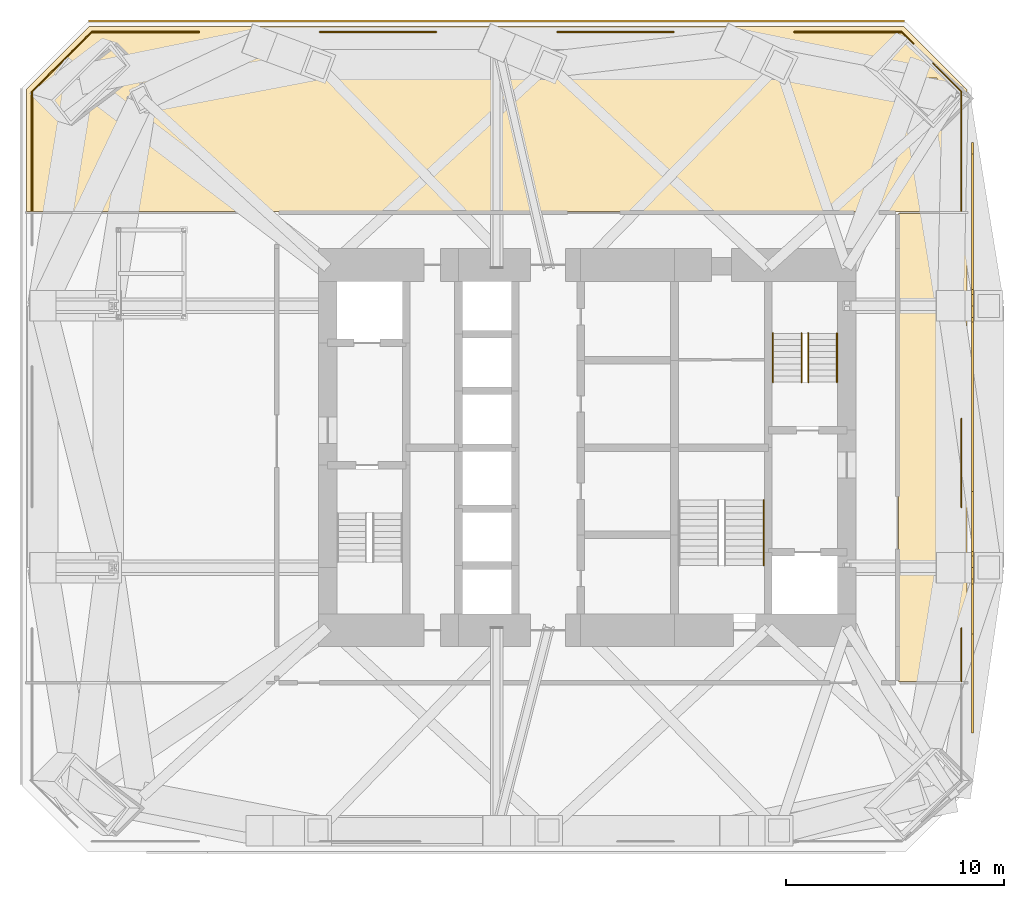
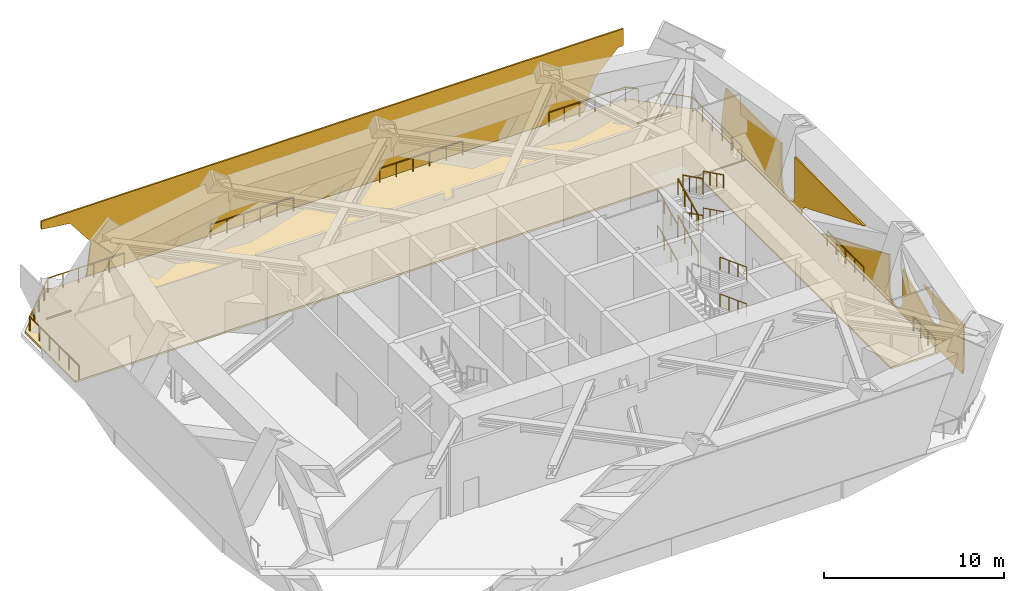
# One storey, part 11 of 11: 23 railings, 3 shading devices, 2 coverings.
"""IFC4 building model written with IfcOpenShell, lengths in metres."""

from ifc_helpers import new_model, si_unit, direction, frame, origin, origin_2d, place, context, subcontext, project, spatial, polyline, rectangle, circle, outline, extrude, material, layer, layer_set, constituent, constituent_set, type_object, element, save


model = new_model("IFC4")

# Units and contexts
model_context = context("Model", 3, precision=1e-05, world=origin(), true_north=direction((0.0, 1.0)))
body_context = subcontext(model_context, "Body", "Model", "MODEL_VIEW")
ifc_project = project(units=[si_unit("LENGTHUNIT", "METRE"), si_unit("AREAUNIT", "SQUARE_METRE"), si_unit("VOLUMEUNIT", "CUBIC_METRE"), si_unit("PLANEANGLEUNIT", "RADIAN"), si_unit("MASSUNIT", "GRAM", prefix="KILO")], contexts=[model_context])

# Site, building, storey
site_placement = place(None, origin())
site = spatial("IfcSite", under=ifc_project, at=site_placement, CompositionType="ELEMENT")
building_placement = place(site_placement, origin())
building = spatial("IfcBuilding", under=site, at=building_placement, Name="Jalousie Tower", CompositionType="ELEMENT")
storey_placement = place(building_placement, frame((0.0, 0.0, 144.35009765625)))
storey = spatial("IfcBuildingStorey", under=building, at=storey_placement, Name="L39", CompositionType="ELEMENT", Elevation=144.35009765625)

# Coverings
ifc_material_1 = material(Name="Sand-cement screed on resilient layer", Category="concrete")
ifc_layer_1 = layer(ifc_material_1, 0.1201171875)
ifc_layer_set_1 = layer_set([ifc_layer_1], Name="Sand-cement screed on resilient layer")
covering_type = type_object("IfcCoveringType", Name="FLOATING PLANT SCREED 120", PredefinedType="FLOORING", material=ifc_layer_set_1)
covering_1_placement = place(storey_placement, origin())
element("IfcCovering", 1, at=covering_1_placement, inside=storey, type_object=covering_type, Name="Floating screed Mechanical plant room", PredefinedType="FLOORING", context=body_context, shape_type="SweptSolid", body=[
    extrude(outline(polyline([(6.199951171875, 34.917236328125), (9.082763671875, 37.800048828125), (46.417236328125, 37.800048828125), (49.300048828125, 34.917236328125), (49.300048828125, 29.324951171875), (6.199951171875, 29.324951171875), (6.199951171875, 34.917236328125)]), holes=[polyline([(45.818603515625, 35.30615234375), (47.918701171875, 35.30615234375), (47.918701171875, 35.43115234375), (45.818603515625, 35.43115234375), (45.818603515625, 35.30615234375)]), polyline([(7.831298828125, 35.30615234375), (9.431396484375, 35.30615234375), (9.431396484375, 35.43115234375), (7.831298828125, 35.43115234375), (7.831298828125, 35.30615234375)])]), origin(), (0.0, 0.0, 1.0), 0.119873046875),
])
covering_2_placement = place(storey_placement, origin())
element("IfcCovering", 2, at=covering_2_placement, inside=storey, type_object=covering_type, Name="Floating screed Water tank room", PredefinedType="FLOORING", context=body_context, shape_type="SweptSolid", body=[
    extrude(outline(polyline([(49.300048828125, 29.22509765625), (49.300048828125, 7.77490234375), (46.175048828125, 7.77490234375), (46.175048828125, 29.22509765625), (49.300048828125, 29.22509765625)])), origin(), (0.0, 0.0, 1.0), 0.119873046875),
])

# Railings
ifc_material_2 = material(Name="Stainless steel AISI 316", Category="steel")
railing_type_1 = type_object("IfcRailingType", Name="PLANT GUARDRAIL 1100", PredefinedType="GUARDRAIL", material=ifc_material_2)
railing_1_placement = place(storey_placement, frame((6.449951171875, 29.344970703125, 0.0)))
element("IfcRailing", 3, at=railing_1_placement, inside=storey, type_object=railing_type_1, Name="Plant floor guard L39 7", PredefinedType="GUARDRAIL", context=body_context, shape_type="SweptSolid", body=[
    extrude(rectangle(XDim=0.048095703125, YDim=0.048095703125, at=origin_2d()), frame((0.0, 0.0, 1.076171875), z_axis=(0.0, 1.0, 0.0), x_axis=(-1.0, 0.0, 0.0)), (0.0, 0.0, 1.0), 5.46875),
    extrude(circle(Radius=0.02099609375, at=origin_2d()), origin(), (0.0, 0.0, 1.0), 1.052001953125),
    extrude(circle(Radius=0.02099609375, at=origin_2d()), frame((0.0, 1.09375, 0.0)), (0.0, 0.0, 1.0), 1.052001953125),
    extrude(circle(Radius=0.02099609375, at=origin_2d()), frame((0.0, 2.1875, 0.0)), (0.0, 0.0, 1.0), 1.052001953125),
    extrude(circle(Radius=0.02099609375, at=origin_2d()), frame((0.0, 3.28125, 0.0)), (0.0, 0.0, 1.0), 1.052001953125),
    extrude(circle(Radius=0.02099609375, at=origin_2d()), frame((0.0, 4.375, 0.0)), (0.0, 0.0, 1.0), 1.052001953125),
    extrude(circle(Radius=0.02099609375, at=origin_2d()), frame((0.0, 5.46875, 0.0)), (0.0, 0.0, 1.0), 1.052001953125),
])
railing_2_placement = place(storey_placement, frame((6.449951171875, 34.813720703125, 0.0)))
element("IfcRailing", 4, at=railing_2_placement, inside=storey, type_object=railing_type_1, Name="Plant floor guard L39 8", PredefinedType="GUARDRAIL", context=body_context, shape_type="SweptSolid", body=[
    extrude(rectangle(XDim=0.048095703125, YDim=0.048095703125, at=origin_2d()), frame((0.0, 0.0, 1.076171875), z_axis=(0.707170042808, 0.707043513905, 0.0), x_axis=(-0.707043513905, 0.707170042808, 0.0)), (0.0, 0.0, 1.0), 1.929443359375),
    extrude(circle(Radius=0.02099609375, at=origin_2d()), origin(), (0.0, 0.0, 1.0), 1.052001953125),
    extrude(circle(Radius=0.02099609375, at=origin_2d()), frame((0.68212890625, 0.68212890625, 0.0)), (0.0, 0.0, 1.0), 1.052001953125),
    extrude(circle(Radius=0.02099609375, at=origin_2d()), frame((1.364501953125, 1.3642578125, 0.0)), (0.0, 0.0, 1.0), 1.052001953125),
])
railing_3_placement = place(storey_placement, frame((7.8544921875, 36.21826171875, 0.0)))
element("IfcRailing", 5, at=railing_3_placement, inside=storey, type_object=railing_type_1, Name="Plant floor guard L39 9", PredefinedType="GUARDRAIL", context=body_context, shape_type="SweptSolid", body=[
    extrude(rectangle(XDim=0.048095703125, YDim=0.048095703125, at=origin_2d()), frame((0.0, 0.0, 1.076171875), z_axis=(0.707106781187, 0.707106781187, 0.0), x_axis=(-0.707106781187, 0.707106781187, 0.0)), (0.0, 0.0, 1.0), 1.0703125),
    extrude(circle(Radius=0.02099609375, at=origin_2d()), origin(), (0.0, 0.0, 1.0), 1.052001953125),
    extrude(circle(Radius=0.02099609375, at=origin_2d()), frame((0.7568359375, 0.7568359375, 0.0)), (0.0, 0.0, 1.0), 1.052001953125),
])
railing_4_placement = place(storey_placement, frame((8.651611328125, 37.01513671875, 0.0)))
element("IfcRailing", 6, at=railing_4_placement, inside=storey, type_object=railing_type_1, Name="Plant floor guard L39 10", PredefinedType="GUARDRAIL", context=body_context, shape_type="SweptSolid", body=[
    extrude(rectangle(XDim=0.048095703125, YDim=0.048095703125, at=origin_2d()), frame((0.0, 0.0, 1.076171875), z_axis=(0.706945359716, 0.707268165816, 0.0), x_axis=(-0.707268165816, 0.706945359716, 0.0)), (0.0, 0.0, 1.0), 0.75634765625),
    extrude(circle(Radius=0.02099609375, at=origin_2d()), origin(), (0.0, 0.0, 1.0), 1.052001953125),
    extrude(circle(Radius=0.02099609375, at=origin_2d()), frame((0.53466796875, 0.534912109375, 0.0)), (0.0, 0.0, 1.0), 1.052001953125),
])
railing_5_placement = place(storey_placement, frame((9.186279296875, 37.550048828125, 0.0)))
element("IfcRailing", 7, at=railing_5_placement, inside=storey, type_object=railing_type_1, Name="Plant floor guard L39 11", PredefinedType="GUARDRAIL", context=body_context, shape_type="SweptSolid", body=[
    extrude(rectangle(XDim=0.048095703125, YDim=0.048095703125, at=origin_2d()), frame((0.0, 0.0, 1.076171875), z_axis=(1.0, 0.0, 0.0), x_axis=(0.0, 1.0, 0.0)), (0.0, 0.0, 1.0), 4.918701171875),
    extrude(circle(Radius=0.02099609375, at=origin_2d()), origin(), (0.0, 0.0, 1.0), 1.052001953125),
    extrude(circle(Radius=0.02099609375, at=origin_2d()), frame((0.983642578125, 0.0, 0.0)), (0.0, 0.0, 1.0), 1.052001953125),
    extrude(circle(Radius=0.02099609375, at=origin_2d()), frame((1.967529296875, 0.0, 0.0)), (0.0, 0.0, 1.0), 1.052001953125),
    extrude(circle(Radius=0.02099609375, at=origin_2d()), frame((2.951171875, 0.0, 0.0)), (0.0, 0.0, 1.0), 1.052001953125),
    extrude(circle(Radius=0.02099609375, at=origin_2d()), frame((3.93505859375, 0.0, 0.0)), (0.0, 0.0, 1.0), 1.052001953125),
    extrude(circle(Radius=0.02099609375, at=origin_2d()), frame((4.918701171875, 0.0, 0.0)), (0.0, 0.0, 1.0), 1.052001953125),
])
for number, where, name in (
    (8, (19.64501953125, 37.550048828125, 0.0), "Plant floor guard L39 12"),
    (9, (30.52001953125, 37.550048828125, 0.0), "Plant floor guard L39 13"),
):
    element("IfcRailing", number, at=place(storey_placement, frame(where)), inside=storey, type_object=railing_type_1, Name=name, PredefinedType="GUARDRAIL", context=body_context, shape_type="SweptSolid", body=[
        extrude(rectangle(XDim=0.048095703125, YDim=0.048095703125, at=origin_2d()), frame((0.0, 0.0, 1.076171875), z_axis=(1.0, 0.0, 0.0), x_axis=(0.0, 1.0, 0.0)), (0.0, 0.0, 1.0), 5.3349609375),
        extrude(circle(Radius=0.02099609375, at=origin_2d()), origin(), (0.0, 0.0, 1.0), 1.052001953125),
        extrude(circle(Radius=0.02099609375, at=origin_2d()), frame((1.06689453125, 0.0, 0.0)), (0.0, 0.0, 1.0), 1.052001953125),
        extrude(circle(Radius=0.02099609375, at=origin_2d()), frame((2.134033203125, 0.0, 0.0)), (0.0, 0.0, 1.0), 1.052001953125),
        extrude(circle(Radius=0.02099609375, at=origin_2d()), frame((3.200927734375, 0.0, 0.0)), (0.0, 0.0, 1.0), 1.052001953125),
        extrude(circle(Radius=0.02099609375, at=origin_2d()), frame((4.26806640625, 0.0, 0.0)), (0.0, 0.0, 1.0), 1.052001953125),
        extrude(circle(Radius=0.02099609375, at=origin_2d()), frame((5.3349609375, 0.0, 0.0)), (0.0, 0.0, 1.0), 1.052001953125),
    ])
railing_6_placement = place(storey_placement, frame((41.39501953125, 37.550048828125, 0.0)))
element("IfcRailing", 10, at=railing_6_placement, inside=storey, type_object=railing_type_1, Name="Plant floor guard L39 14", PredefinedType="GUARDRAIL", context=body_context, shape_type="SweptSolid", body=[
    extrude(rectangle(XDim=0.048095703125, YDim=0.048095703125, at=origin_2d()), frame((0.0, 0.0, 1.076171875), z_axis=(1.0, 0.0, 0.0), x_axis=(0.0, 1.0, 0.0)), (0.0, 0.0, 1.0), 4.918701171875),
    extrude(circle(Radius=0.02099609375, at=origin_2d()), origin(), (0.0, 0.0, 1.0), 1.052001953125),
    extrude(circle(Radius=0.02099609375, at=origin_2d()), frame((0.983642578125, 0.0, 0.0)), (0.0, 0.0, 1.0), 1.052001953125),
    extrude(circle(Radius=0.02099609375, at=origin_2d()), frame((1.967529296875, 0.0, 0.0)), (0.0, 0.0, 1.0), 1.052001953125),
    extrude(circle(Radius=0.02099609375, at=origin_2d()), frame((2.951171875, 0.0, 0.0)), (0.0, 0.0, 1.0), 1.052001953125),
    extrude(circle(Radius=0.02099609375, at=origin_2d()), frame((3.93505859375, 0.0, 0.0)), (0.0, 0.0, 1.0), 1.052001953125),
    extrude(circle(Radius=0.02099609375, at=origin_2d()), frame((4.918701171875, 0.0, 0.0)), (0.0, 0.0, 1.0), 1.052001953125),
])
railing_7_placement = place(storey_placement, frame((46.313720703125, 37.550048828125, 0.0)))
element("IfcRailing", 11, at=railing_7_placement, inside=storey, type_object=railing_type_1, Name="Plant floor guard L39 15", PredefinedType="GUARDRAIL", context=body_context, shape_type="SweptSolid", body=[
    extrude(rectangle(XDim=0.048095703125, YDim=0.048095703125, at=origin_2d()), frame((0.0, 0.0, 1.076171875), z_axis=(0.706945433382, -0.707268092183, 0.0), x_axis=(0.707268092183, 0.706945433382, 0.0)), (0.0, 0.0, 1.0), 0.756591796875),
    extrude(circle(Radius=0.02099609375, at=origin_2d()), origin(), (0.0, 0.0, 1.0), 1.052001953125),
    extrude(circle(Radius=0.02099609375, at=origin_2d()), frame((0.534912109375, -0.53515625, 0.0)), (0.0, 0.0, 1.0), 1.052001953125),
])
railing_8_placement = place(storey_placement, frame((47.752197265625, 36.111328125, 0.0)))
element("IfcRailing", 12, at=railing_8_placement, inside=storey, type_object=railing_type_1, Name="Plant floor guard L39 16", PredefinedType="GUARDRAIL", context=body_context, shape_type="SweptSolid", body=[
    extrude(rectangle(XDim=0.048095703125, YDim=0.048095703125, at=origin_2d()), frame((0.0, 0.0, 1.076171875), z_axis=(0.707173291724, -0.707040264393, 0.0), x_axis=(0.707040264393, 0.707173291724, 0.0)), (0.0, 0.0, 1.0), 1.835205078125),
    extrude(circle(Radius=0.02099609375, at=origin_2d()), origin(), (0.0, 0.0, 1.0), 1.052001953125),
    extrude(circle(Radius=0.02099609375, at=origin_2d()), frame((0.64892578125, -0.64892578125, 0.0)), (0.0, 0.0, 1.0), 1.052001953125),
    extrude(circle(Radius=0.02099609375, at=origin_2d()), frame((1.2978515625, -1.297607421875, 0.0)), (0.0, 0.0, 1.0), 1.052001953125),
])
railing_9_placement = place(storey_placement, frame((49.050048828125, 10.22998046875, 0.0)))
element("IfcRailing", 13, at=railing_9_placement, inside=storey, type_object=railing_type_1, Name="Plant floor guard L39 18", PredefinedType="GUARDRAIL", context=body_context, shape_type="SweptSolid", body=[
    extrude(rectangle(XDim=0.048095703125, YDim=0.048095703125, at=origin_2d()), frame((0.0, 0.0, 1.076171875), z_axis=(0.0, -1.0, 0.0), x_axis=(1.0, 0.0, 0.0)), (0.0, 0.0, 1.0), 2.43505859375),
    extrude(circle(Radius=0.02099609375, at=origin_2d()), origin(), (0.0, 0.0, 1.0), 1.052001953125),
    extrude(circle(Radius=0.02099609375, at=origin_2d()), frame((0.0, -0.811767578125, 0.0)), (0.0, 0.0, 1.0), 1.052001953125),
    extrude(circle(Radius=0.02099609375, at=origin_2d()), frame((0.0, -1.623291015625, 0.0)), (0.0, 0.0, 1.0), 1.052001953125),
    extrude(circle(Radius=0.02099609375, at=origin_2d()), frame((0.0, -2.43505859375, 0.0)), (0.0, 0.0, 1.0), 1.052001953125),
])
railing_10_placement = place(storey_placement, frame((49.050048828125, 19.83203125, 0.0)))
element("IfcRailing", 14, at=railing_10_placement, inside=storey, type_object=railing_type_1, Name="Plant floor guard L39 19", PredefinedType="GUARDRAIL", context=body_context, shape_type="SweptSolid", body=[
    extrude(rectangle(XDim=0.048095703125, YDim=0.048095703125, at=origin_2d()), frame((0.0, 0.0, 1.076171875), z_axis=(0.0, -1.0, 0.0), x_axis=(1.0, 0.0, 0.0)), (0.0, 0.0, 1.0), 4.06201171875),
    extrude(circle(Radius=0.02099609375, at=origin_2d()), origin(), (0.0, 0.0, 1.0), 1.052001953125),
    extrude(circle(Radius=0.02099609375, at=origin_2d()), frame((0.0, -1.015625, 0.0)), (0.0, 0.0, 1.0), 1.052001953125),
    extrude(circle(Radius=0.02099609375, at=origin_2d()), frame((0.0, -2.031005859375, 0.0)), (0.0, 0.0, 1.0), 1.052001953125),
    extrude(circle(Radius=0.02099609375, at=origin_2d()), frame((0.0, -3.04638671875, 0.0)), (0.0, 0.0, 1.0), 1.052001953125),
    extrude(circle(Radius=0.02099609375, at=origin_2d()), frame((0.0, -4.06201171875, 0.0)), (0.0, 0.0, 1.0), 1.052001953125),
])
railing_11_placement = place(storey_placement, frame((49.050048828125, 34.813720703125, 0.0)))
element("IfcRailing", 15, at=railing_11_placement, inside=storey, type_object=railing_type_1, Name="Plant floor guard L39 20", PredefinedType="GUARDRAIL", context=body_context, shape_type="SweptSolid", body=[
    extrude(rectangle(XDim=0.048095703125, YDim=0.048095703125, at=origin_2d()), frame((0.0, 0.0, 1.076171875), z_axis=(0.0, -1.0, 0.0), x_axis=(1.0, 0.0, 0.0)), (0.0, 0.0, 1.0), 5.46875),
    extrude(circle(Radius=0.02099609375, at=origin_2d()), origin(), (0.0, 0.0, 1.0), 1.052001953125),
    extrude(circle(Radius=0.02099609375, at=origin_2d()), frame((0.0, -1.09375, 0.0)), (0.0, 0.0, 1.0), 1.052001953125),
    extrude(circle(Radius=0.02099609375, at=origin_2d()), frame((0.0, -2.1875, 0.0)), (0.0, 0.0, 1.0), 1.052001953125),
    extrude(circle(Radius=0.02099609375, at=origin_2d()), frame((0.0, -3.28125, 0.0)), (0.0, 0.0, 1.0), 1.052001953125),
    extrude(circle(Radius=0.02099609375, at=origin_2d()), frame((0.0, -4.375, 0.0)), (0.0, 0.0, 1.0), 1.052001953125),
    extrude(circle(Radius=0.02099609375, at=origin_2d()), frame((0.0, -5.46875, 0.0)), (0.0, 0.0, 1.0), 1.052001953125),
])

# Shading devices
ifc_material_3 = material(Name="Aluminium storm louvres", Category="aluminium")
ifc_layer_2 = layer(ifc_material_3, 0.10009765625)
ifc_layer_set_2 = layer_set([ifc_layer_2], Name="Aluminium storm louvres")
shading_device_type = type_object("IfcShadingDeviceType", Name="PLANT LOUVRE SCREEN", PredefinedType="JALOUSIE", material=ifc_layer_set_2)
shading_device_1_placement = place(storey_placement, frame((49.60009765625, 5.58056640625, -0.150146484375), z_axis=(1.0, 0.0, 0.0), x_axis=(0.0, 1.0, 0.0)))
element("IfcShadingDevice", 16, at=shading_device_1_placement, inside=storey, type_object=shading_device_type, Name="Plant louvre screen L39 2", PredefinedType="JALOUSIE", context=body_context, shape_type="SweptSolid", body=[
    extrude(outline(polyline([(0.0, 0.0), (15.737548828125, 0.0), (8.16943359375, 3.1533203125), (8.16943359375, 0.775146484375), (7.94970703125, 0.24462890625), (7.41943359375, 0.025146484375), (6.88916015625, 0.24462890625), (6.66943359375, 0.775146484375), (6.66943359375, 3.086669921875), (3.4248046875, 1.52197265625), (2.927978515625, 1.493896484375), (2.556884765625, 1.8251953125), (2.52880859375, 2.322021484375), (2.860107421875, 2.693115234375), (4.36767578125, 3.420166015625), (-0.162109375, 3.420166015625), (-0.07470703125, 0.330322265625), (0.0, 0.150146484375), (0.0, 0.0)])), origin(), (0.0, 0.0, -1.0), 0.10009765625),
])
shading_device_2_placement = place(storey_placement, frame((49.60009765625, 23.50048828125, -0.150146484375), z_axis=(1.0, 0.0, 0.0), x_axis=(0.0, 1.0, 0.0)))
element("IfcShadingDevice", 17, at=shading_device_2_placement, inside=storey, type_object=shading_device_type, Name="Plant louvre screen L39 3", PredefinedType="JALOUSIE", context=body_context, shape_type="SweptSolid", body=[
    extrude(outline(polyline([(0.0, 0.0), (8.9189453125, 0.0), (8.9189453125, 0.150146484375), (8.989990234375, 0.3212890625), (8.457763671875, 3.420166015625), (2.24951171875, 3.420166015625), (2.24951171875, 0.775146484375), (2.02978515625, 0.24462890625), (1.49951171875, 0.025146484375), (0.96923828125, 0.24462890625), (0.74951171875, 0.775146484375), (0.74951171875, 3.420166015625), (-7.010498046875, 3.420166015625), (-0.3505859375, 0.64501953125), (0.00048828125, 0.29248046875), (0.0, 0.0)])), origin(), (0.0, 0.0, -1.0), 0.10009765625),
])
shading_device_3_placement = place(storey_placement, frame((46.449951171875, 38.10009765625, 4.719970703125), z_axis=(0.0, 1.0, 0.0), x_axis=(0.0, 0.0, -1.0)))
element("IfcShadingDevice", 18, at=shading_device_3_placement, inside=storey, type_object=shading_device_type, Name="Plant louvre screen L39 4", PredefinedType="JALOUSIE", context=body_context, shape_type="SweptSolid", body=[
    extrude(outline(polyline([(0.0, 0.0), (1.149658203125, 0.0), (1.16064453125, 0.357421875), (2.7265625, 1.8291015625), (3.7265625, 2.20751953125), (3.92529296875, 2.201171875), (4.719970703125, 2.530517578125), (4.8701171875, 2.530517578125), (4.8701171875, 34.588623046875), (4.711181640625, 34.497802734375), (2.52587890625, 34.219482421875), (0.78369140625, 35.568115234375), (0.550537109375, 37.39990234375), (0.0, 37.39990234375), (0.0, 0.0)])), origin(), (0.0, 0.0, -1.0), 0.10009765625),
])

# Railings
ifc_material_4 = material(Name="Steel ASTM A500 Grade C", Category="steel")
ifc_constituent_1 = constituent(ifc_material_4, Name="Body")
ifc_material_5 = material(Name="Hot-dip galvanised zinc coating")
ifc_constituent_2 = constituent(ifc_material_5, Name="Finish")
ifc_constituent_set_1 = constituent_set(constituents=[ifc_constituent_1, ifc_constituent_2])
railing_type_2 = type_object("IfcRailingType", Name="STAIR GUARD 1100", PredefinedType="GUARDRAIL", material=ifc_constituent_set_1)
railing_12_placement = place(storey_placement, frame((41.719970703125, 21.50244140625, 0.138916015625)))
element("IfcRailing", 19, at=railing_12_placement, inside=storey, type_object=railing_type_2, Name="Exit stair B guard L39 flight 1", PredefinedType="GUARDRAIL", context=body_context, shape_type="SweptSolid", body=[
    extrude(rectangle(XDim=0.048095703125, YDim=0.048095703125, at=origin_2d()), frame((0.0, 0.0, 1.076171875), z_axis=(0.0, 0.895848192791, 0.444360231651), x_axis=(-1.0, 0.0, 0.0)), (0.0, 0.0, 1.0), 2.50048828125),
    extrude(circle(Radius=0.02099609375, at=origin_2d()), origin(), (0.0, 0.0, 1.0), 1.052001953125),
    extrude(circle(Radius=0.02099609375, at=origin_2d()), frame((0.0, 0.74658203125, 0.370361328125)), (0.0, 0.0, 1.0), 1.052001953125),
    extrude(circle(Radius=0.02099609375, at=origin_2d()), frame((0.0, 1.493408203125, 0.74072265625)), (0.0, 0.0, 1.0), 1.052001953125),
    extrude(circle(Radius=0.02099609375, at=origin_2d()), frame((0.0, 2.239990234375, 1.111083984375)), (0.0, 0.0, 1.0), 1.052001953125),
])
railing_13_placement = place(storey_placement, frame((42.030029296875, 23.742431640625, 1.388916015625)))
element("IfcRailing", 20, at=railing_13_placement, inside=storey, type_object=railing_type_2, Name="Exit stair B guard L39 flight 2", PredefinedType="GUARDRAIL", context=body_context, shape_type="SweptSolid", body=[
    extrude(rectangle(XDim=0.048095703125, YDim=0.048095703125, at=origin_2d()), frame((0.0, 0.0, 1.076171875), z_axis=(0.0, -0.895848192791, 0.444360231651), x_axis=(1.0, 0.0, 0.0)), (0.0, 0.0, 1.0), 2.50048828125),
    extrude(circle(Radius=0.02099609375, at=origin_2d()), origin(), (0.0, 0.0, 1.0), 1.052001953125),
    extrude(circle(Radius=0.02099609375, at=origin_2d()), frame((0.0, -0.74658203125, 0.370361328125)), (0.0, 0.0, 1.0), 1.052001953125),
    extrude(circle(Radius=0.02099609375, at=origin_2d()), frame((0.0, -1.493408203125, 0.74072265625)), (0.0, 0.0, 1.0), 1.052001953125),
    extrude(circle(Radius=0.02099609375, at=origin_2d()), frame((0.0, -2.239990234375, 1.111083984375)), (0.0, 0.0, 1.0), 1.052001953125),
])
railing_14_placement = place(storey_placement, frame((41.719970703125, 21.50244140625, 2.638916015625)))
element("IfcRailing", 21, at=railing_14_placement, inside=storey, type_object=railing_type_2, Name="Exit stair B guard L39 flight 3", PredefinedType="GUARDRAIL", context=body_context, shape_type="SweptSolid", body=[
    extrude(rectangle(XDim=0.048095703125, YDim=0.048095703125, at=origin_2d()), frame((0.0, 0.0, 1.076171875), z_axis=(0.0, 0.895848192791, 0.444360231651), x_axis=(-1.0, 0.0, 0.0)), (0.0, 0.0, 1.0), 2.50048828125),
    extrude(circle(Radius=0.02099609375, at=origin_2d()), origin(), (0.0, 0.0, 1.0), 1.052001953125),
    extrude(circle(Radius=0.02099609375, at=origin_2d()), frame((0.0, 0.74658203125, 0.370361328125)), (0.0, 0.0, 1.0), 1.052001953125),
    extrude(circle(Radius=0.02099609375, at=origin_2d()), frame((0.0, 1.493408203125, 0.74072265625)), (0.0, 0.0, 1.0), 1.052001953125),
    extrude(circle(Radius=0.02099609375, at=origin_2d()), frame((0.0, 2.239990234375, 1.111083984375)), (0.0, 0.0, 1.0), 1.052001953125),
])
railing_15_placement = place(storey_placement, frame((42.030029296875, 23.742431640625, 3.888916015625)))
element("IfcRailing", 22, at=railing_15_placement, inside=storey, type_object=railing_type_2, Name="Exit stair B guard L39 flight 4", PredefinedType="GUARDRAIL", context=body_context, shape_type="SweptSolid", body=[
    extrude(rectangle(XDim=0.048095703125, YDim=0.048095703125, at=origin_2d()), frame((0.0, 0.0, 1.076171875), z_axis=(0.0, -0.895848192791, 0.444360231651), x_axis=(1.0, 0.0, 0.0)), (0.0, 0.0, 1.0), 2.50048828125),
    extrude(circle(Radius=0.02099609375, at=origin_2d()), origin(), (0.0, 0.0, 1.0), 1.052001953125),
    extrude(circle(Radius=0.02099609375, at=origin_2d()), frame((0.0, -0.74658203125, 0.370361328125)), (0.0, 0.0, 1.0), 1.052001953125),
    extrude(circle(Radius=0.02099609375, at=origin_2d()), frame((0.0, -1.493408203125, 0.74072265625)), (0.0, 0.0, 1.0), 1.052001953125),
    extrude(circle(Radius=0.02099609375, at=origin_2d()), frame((0.0, -2.239990234375, 1.111083984375)), (0.0, 0.0, 1.0), 1.052001953125),
])
ifc_material_6 = material(Name="Steel ASTM A500 Grade C", Category="steel")
ifc_constituent_3 = constituent(ifc_material_6, Name="Body")
ifc_material_7 = material(Name="Hot-dip galvanised zinc coating")
ifc_constituent_4 = constituent(ifc_material_7, Name="Finish")
ifc_constituent_set_2 = constituent_set(constituents=[ifc_constituent_3, ifc_constituent_4])
railing_type_3 = type_object("IfcRailingType", Name="STAIR HANDRAIL 900", PredefinedType="HANDRAIL", material=ifc_constituent_set_2)
railing_16_placement = place(storey_placement, frame((40.405029296875, 21.50244140625, 0.138916015625)))
element("IfcRailing", 23, at=railing_16_placement, inside=storey, type_object=railing_type_3, Name="Exit stair B handrail L39 flight 1", PredefinedType="HANDRAIL", context=body_context, shape_type="SweptSolid", body=[
    extrude(circle(Radius=0.02392578125, at=origin_2d()), frame((0.0, 0.0, 0.8759765625), z_axis=(0.0, 0.895848192791, 0.444360231651), x_axis=(-1.0, 0.0, 0.0)), (0.0, 0.0, 1.0), 2.50048828125),
    extrude(circle(Radius=0.02099609375, at=origin_2d()), origin(), (0.0, 0.0, 1.0), 0.851806640625),
    extrude(circle(Radius=0.02099609375, at=origin_2d()), frame((0.0, 0.74658203125, 0.370361328125)), (0.0, 0.0, 1.0), 0.851806640625),
    extrude(circle(Radius=0.02099609375, at=origin_2d()), frame((0.0, 1.493408203125, 0.74072265625)), (0.0, 0.0, 1.0), 0.851806640625),
    extrude(circle(Radius=0.02099609375, at=origin_2d()), frame((0.0, 2.239990234375, 1.111083984375)), (0.0, 0.0, 1.0), 0.851806640625),
])
railing_17_placement = place(storey_placement, frame((43.344970703125, 23.742431640625, 1.388916015625)))
element("IfcRailing", 24, at=railing_17_placement, inside=storey, type_object=railing_type_3, Name="Exit stair B handrail L39 flight 2", PredefinedType="HANDRAIL", context=body_context, shape_type="SweptSolid", body=[
    extrude(circle(Radius=0.02392578125, at=origin_2d()), frame((0.0, 0.0, 0.8759765625), z_axis=(0.0, -0.895848192791, 0.444360231651), x_axis=(1.0, 0.0, 0.0)), (0.0, 0.0, 1.0), 2.50048828125),
    extrude(circle(Radius=0.02099609375, at=origin_2d()), origin(), (0.0, 0.0, 1.0), 0.851806640625),
    extrude(circle(Radius=0.02099609375, at=origin_2d()), frame((0.0, -0.74658203125, 0.370361328125)), (0.0, 0.0, 1.0), 0.851806640625),
    extrude(circle(Radius=0.02099609375, at=origin_2d()), frame((0.0, -1.493408203125, 0.74072265625)), (0.0, 0.0, 1.0), 0.851806640625),
    extrude(circle(Radius=0.02099609375, at=origin_2d()), frame((0.0, -2.239990234375, 1.111083984375)), (0.0, 0.0, 1.0), 0.851806640625),
])
railing_18_placement = place(storey_placement, frame((40.405029296875, 21.50244140625, 2.638916015625)))
element("IfcRailing", 25, at=railing_18_placement, inside=storey, type_object=railing_type_3, Name="Exit stair B handrail L39 flight 3", PredefinedType="HANDRAIL", context=body_context, shape_type="SweptSolid", body=[
    extrude(circle(Radius=0.02392578125, at=origin_2d()), frame((0.0, 0.0, 0.8759765625), z_axis=(0.0, 0.895848192791, 0.444360231651), x_axis=(-1.0, 0.0, 0.0)), (0.0, 0.0, 1.0), 2.50048828125),
    extrude(circle(Radius=0.02099609375, at=origin_2d()), origin(), (0.0, 0.0, 1.0), 0.851806640625),
    extrude(circle(Radius=0.02099609375, at=origin_2d()), frame((0.0, 0.74658203125, 0.370361328125)), (0.0, 0.0, 1.0), 0.851806640625),
    extrude(circle(Radius=0.02099609375, at=origin_2d()), frame((0.0, 1.493408203125, 0.74072265625)), (0.0, 0.0, 1.0), 0.851806640625),
    extrude(circle(Radius=0.02099609375, at=origin_2d()), frame((0.0, 2.239990234375, 1.111083984375)), (0.0, 0.0, 1.0), 0.851806640625),
])
railing_19_placement = place(storey_placement, frame((43.344970703125, 23.742431640625, 3.888916015625)))
element("IfcRailing", 26, at=railing_19_placement, inside=storey, type_object=railing_type_3, Name="Exit stair B handrail L39 flight 4", PredefinedType="HANDRAIL", context=body_context, shape_type="SweptSolid", body=[
    extrude(circle(Radius=0.02392578125, at=origin_2d()), frame((0.0, 0.0, 0.8759765625), z_axis=(0.0, -0.895848192791, 0.444360231651), x_axis=(1.0, 0.0, 0.0)), (0.0, 0.0, 1.0), 2.50048828125),
    extrude(circle(Radius=0.02099609375, at=origin_2d()), origin(), (0.0, 0.0, 1.0), 0.851806640625),
    extrude(circle(Radius=0.02099609375, at=origin_2d()), frame((0.0, -0.74658203125, 0.370361328125)), (0.0, 0.0, 1.0), 0.851806640625),
    extrude(circle(Radius=0.02099609375, at=origin_2d()), frame((0.0, -1.493408203125, 0.74072265625)), (0.0, 0.0, 1.0), 0.851806640625),
    extrude(circle(Radius=0.02099609375, at=origin_2d()), frame((0.0, -2.239990234375, 1.111083984375)), (0.0, 0.0, 1.0), 0.851806640625),
])
for number, where, name in (
    (27, (39.9951171875, 16.097412109375, 1.363525390625), "Exit stair C handrail L39 flight 2"),
    (28, (39.9951171875, 16.097412109375, 3.863525390625), "Exit stair C handrail L39 flight 4"),
):
    element("IfcRailing", number, at=place(storey_placement, frame(where)), inside=storey, type_object=railing_type_3, Name=name, PredefinedType="HANDRAIL", context=body_context, shape_type="SweptSolid", body=[
        extrude(circle(Radius=0.02392578125, at=origin_2d()), frame((0.0, 0.0, 0.8759765625), z_axis=(0.0, -0.935147985876, 0.354257313985), x_axis=(1.0, 0.0, 0.0)), (0.0, 0.0, 1.0), 3.2080078125),
        extrude(circle(Radius=0.02099609375, at=origin_2d()), origin(), (0.0, 0.0, 1.0), 0.851806640625),
        extrude(circle(Radius=0.02099609375, at=origin_2d()), frame((0.0, -1.0, 0.37890625)), (0.0, 0.0, 1.0), 0.851806640625),
        extrude(circle(Radius=0.02099609375, at=origin_2d()), frame((0.0, -2.0, 0.757568359375)), (0.0, 0.0, 1.0), 0.851806640625),
        extrude(circle(Radius=0.02099609375, at=origin_2d()), frame((0.0, -3.0, 1.136474609375)), (0.0, 0.0, 1.0), 0.851806640625),
    ])

save(model, "model.ifc")
